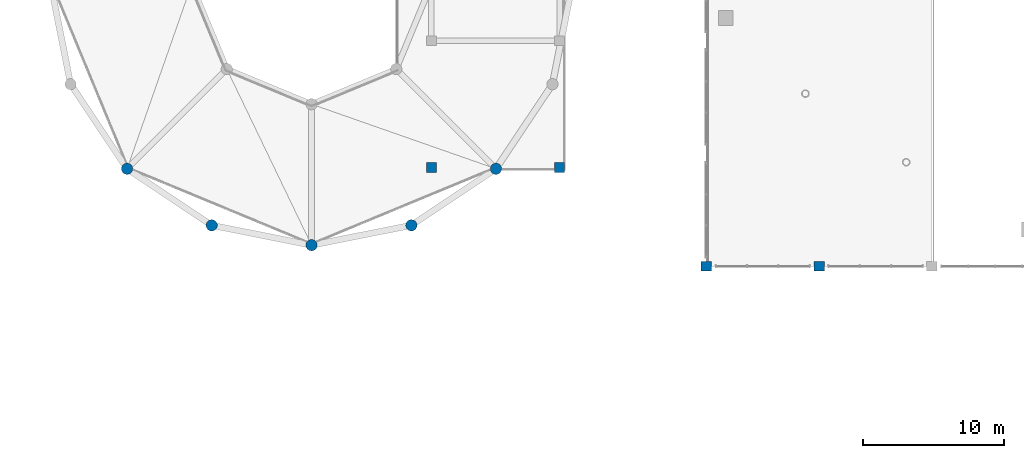
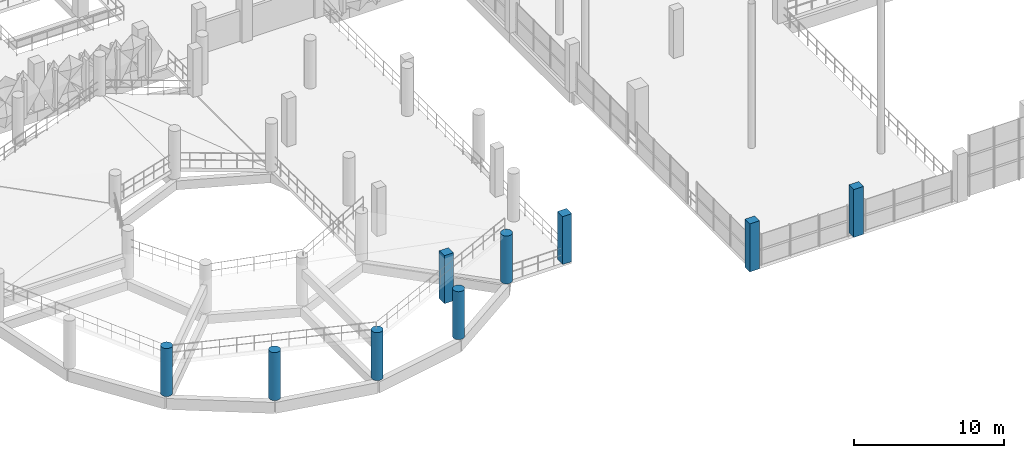
# One storey, part 1 of 123: 9 columns.
"""IFC4 building model written with IfcOpenShell, lengths in metres."""

from ifc_helpers import new_model, si_unit, derived_unit, direction, frame, origin, origin_2d, place, context, subcontext, project, spatial, rectangle, circle, extrude, material, material_profile, profile_set, type_object, element, save


model = new_model("IFC4")

# Units and contexts
model_context = context("Model", 3, precision=1e-05, world=origin(), true_north=direction((0.0, 1.0)))
body_context = subcontext(model_context, "Body", "Model", "MODEL_VIEW")
ifc_project = project(units=[si_unit("LENGTHUNIT", "METRE"), si_unit("AREAUNIT", "SQUARE_METRE"), si_unit("VOLUMEUNIT", "CUBIC_METRE"), si_unit("PLANEANGLEUNIT", "RADIAN"), si_unit("MASSUNIT", "GRAM", prefix="KILO"), si_unit("THERMODYNAMICTEMPERATUREUNIT", "KELVIN"), derived_unit("THERMALTRANSMITTANCEUNIT", [(si_unit("POWERUNIT", "WATT"), 1), (si_unit("AREAUNIT", "SQUARE_METRE"), -1), (si_unit("THERMODYNAMICTEMPERATUREUNIT", "KELVIN"), -1)])], contexts=[model_context])

# Site, building, storey
site_placement = place(None, origin())
site = spatial("IfcSite", under=ifc_project, at=site_placement, CompositionType="ELEMENT")
building_placement = place(site_placement, origin())
building = spatial("IfcBuilding", under=site, at=building_placement, Name="Haiyu Intermodal Mobility Hub", CompositionType="ELEMENT")
storey_placement = place(building_placement, frame((0.0, 0.0, 5.60009765625)))
storey = spatial("IfcBuildingStorey", under=building, at=storey_placement, Name="L01", CompositionType="ELEMENT", Elevation=5.60009765625)

# Columns
ifc_material = material(Name="Concrete C40", Category="concrete")
ifc_material_profile_1 = material_profile(ifc_material, rectangle(XDim=0.75, YDim=0.64990234375, at=origin_2d()), Name="RC750x650")
ifc_profile_set_1 = profile_set([ifc_material_profile_1], Name="Concrete C40")
column_type_1 = type_object("IfcColumnType", Name="COL-CC07-EXT", PredefinedType="COLUMN", material=ifc_profile_set_1)
for number, where, z_axis, x_axis, name in (
    (1, (62.0, 40.0, 0.0), (0.0, 0.0, 1.0), (1.0, 0.0, 0.0), "Column V1-7D L01"),
    (2, (70.0, 40.0, 0.0), (0.0, 0.0, 1.0), (1.0, 0.0, 0.0), "Column V1-8D L01"),
):
    element("IfcColumn", number, at=place(storey_placement, frame(where, z_axis=z_axis, x_axis=x_axis)), inside=storey, type_object=column_type_1, Name=name, PredefinedType="COLUMN", context=body_context, shape_type="SweptSolid", body=[
        extrude(rectangle(XDim=0.75, YDim=0.64990234375, at=origin_2d()), origin(), (0.0, 0.0, 1.0), 3.89990234375),
    ])
ifc_material_profile_2 = material_profile(ifc_material, rectangle(XDim=0.699951171875, YDim=0.699951171875, at=origin_2d()), Name="RC700x700")
ifc_profile_set_2 = profile_set([ifc_material_profile_2], Name="Concrete C40")
column_type_2 = type_object("IfcColumnType", Name="COL-CC08", PredefinedType="COLUMN", material=ifc_profile_set_2)
for number, where, z_axis, x_axis, name in (
    (3, (51.60009765625, 47.0, 0.0), (0.0, 0.0, 1.0), (1.0, 0.0, 0.0), "Column V2L-1 L01"),
    (4, (42.5, 47.0, 0.0), (0.0, 0.0, 1.0), (1.0, 0.0, 0.0), "Column V2LW-1 L01"),
):
    element("IfcColumn", number, at=place(storey_placement, frame(where, z_axis=z_axis, x_axis=x_axis)), inside=storey, type_object=column_type_2, Name=name, PredefinedType="COLUMN", context=body_context, shape_type="SweptSolid", body=[
        extrude(rectangle(XDim=0.699951171875, YDim=0.699951171875, at=origin_2d()), origin(), (0.0, 0.0, 1.0), 3.89990234375),
    ])
ifc_material_profile_3 = material_profile(ifc_material, circle(Radius=0.39990234375, at=origin_2d()), Name="RCCOL-D800")
ifc_profile_set_3 = profile_set([ifc_material_profile_3], Name="Concrete C40")
column_type_3 = type_object("IfcColumnType", Name="COL-CR01-EXT", PredefinedType="COLUMN", material=ifc_profile_set_3)
for number, where, z_axis, x_axis, name in (
    (5, (20.9189453125, 46.9189453125, 0.0), (0.0, 0.0, 1.0), (1.0, 0.0, 0.0), "Column V2O-11 L01"),
    (6, (26.919921875, 42.907958984375, 0.0), (0.0, 0.0, 1.0), (1.0, 0.0, 0.0), "Column V2O-12 L01"),
    (7, (34.0, 41.5, 0.0), (0.0, 0.0, 1.0), (1.0, 0.0, 0.0), "Column V2O-13 L01"),
    (8, (41.080078125, 42.907958984375, 0.0), (0.0, 0.0, 1.0), (1.0, 0.0, 0.0), "Column V2O-14 L01"),
    (9, (47.0810546875, 46.9189453125, 0.0), (0.0, 0.0, 1.0), (1.0, 0.0, 0.0), "Column V2O-15 L01"),
):
    element("IfcColumn", number, at=place(storey_placement, frame(where, z_axis=z_axis, x_axis=x_axis)), inside=storey, type_object=column_type_3, Name=name, PredefinedType="COLUMN", context=body_context, shape_type="SweptSolid", body=[
        extrude(circle(Radius=0.39990234375, at=origin_2d()), origin(), (0.0, 0.0, 1.0), 3.89990234375),
    ])

save(model, "model.ifc")
